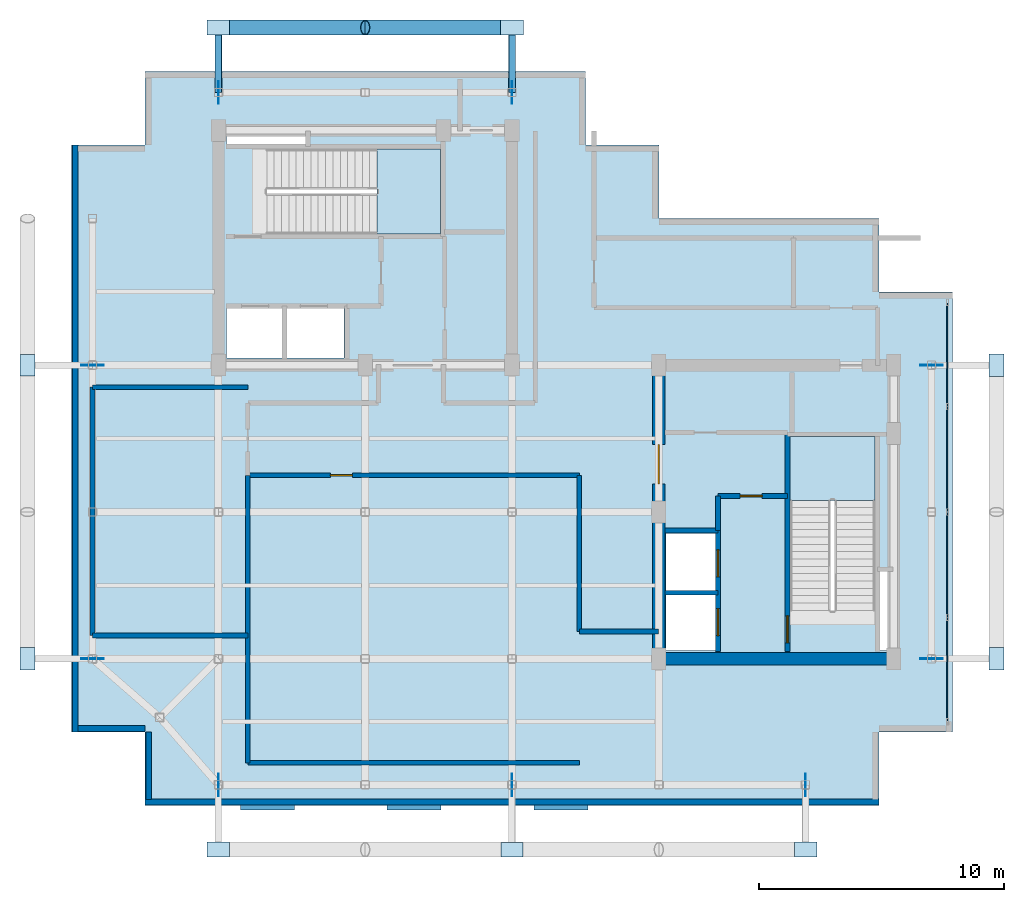
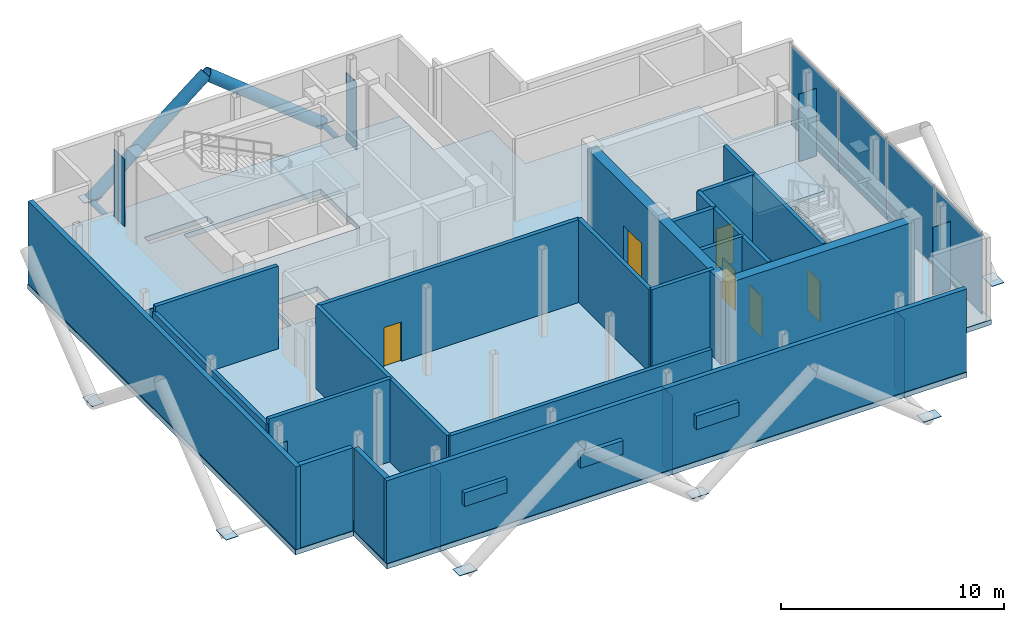
# One storey, part 3 of 6: 25 plates, 20 walls, 6 doors, 4 members, 3 slabs, 6 openings, 3 elements without a shape of their own.
"""IFC4 building model written with IfcOpenShell, lengths in metres."""

from ifc_helpers import new_model, si_unit, direction, frame, frame_2d, origin, origin_2d, place, context, subcontext, project, spatial, polyline, rectangle, hollow_circle, outline, extrude, material, layer, layer_set, material_profile, profile_set, type_object, element, fill, aggregate, save


model = new_model("IFC4")

# Units and contexts
model_context = context("Model", 3, precision=1e-05, world=origin(), true_north=direction((0.0, 1.0)))
body_context = subcontext(model_context, "Body", "Model", "MODEL_VIEW")
ifc_project = project(units=[si_unit("LENGTHUNIT", "METRE"), si_unit("AREAUNIT", "SQUARE_METRE"), si_unit("VOLUMEUNIT", "CUBIC_METRE"), si_unit("PLANEANGLEUNIT", "RADIAN"), si_unit("MASSUNIT", "GRAM", prefix="KILO"), si_unit("THERMODYNAMICTEMPERATUREUNIT", "KELVIN"), si_unit("POWERUNIT", "WATT")], contexts=[model_context])

# Site, building, storey
site_placement = place(None, origin())
site = spatial("IfcSite", under=ifc_project, at=site_placement, CompositionType="ELEMENT")
building_placement = place(site_placement, origin())
building = spatial("IfcBuilding", under=site, at=building_placement, Name="Svarakhadi Broadcast Tower", CompositionType="ELEMENT")
storey_placement = place(building_placement, frame((0.0, 0.0, 300.89990234375)))
storey = spatial("IfcBuildingStorey", under=building, at=storey_placement, Name="L76", CompositionType="ELEMENT", Elevation=300.89990234375)

# Members
ifc_material_1 = material(Name="Steel S460ML (IS 2062 E450BR)", Category="steel")
ifc_material_profile_1 = material_profile(ifc_material_1, hollow_circle(Radius=0.304931640625, WallThickness=0.030029296875, at=origin_2d()), Name="CHS 610x30")
ifc_profile_set_1 = profile_set([ifc_material_profile_1], Name="Steel S460ML (IS 2062 E450BR)")
member_type_1 = type_object("IfcMemberType", Name="Exo_Brace_CHS610", PredefinedType="BRACE", material=ifc_profile_set_1)
for number, where, z_axis, x_axis, name in (
    (1, (6.0, 31.800048828125, -0.411376953125), (0.780865709579, 0.0, 0.624698922365), (0.0, 1.0, 0.0), "L76 Exposed Bronze Exoskeleton Diagonal N10"),
    (2, (18.0, 31.800048828125, -0.411376953125), (-0.780865709579, 0.0, 0.624698922365), (0.0, -1.0, 0.0), "L76 Exposed Bronze Exoskeleton Diagonal N11"),
):
    element("IfcMember", number, at=place(storey_placement, frame(where, z_axis=z_axis, x_axis=x_axis)), inside=storey, type_object=member_type_1, Name=name, PredefinedType="BRACE", context=body_context, shape_type="SweptSolid", body=[
        extrude(hollow_circle(Radius=0.304931640625, WallThickness=0.030029296875, at=origin_2d()), origin(), (0.0, 0.0, 1.0), 7.683837890625),
    ])
ifc_material_profile_2 = material_profile(ifc_material_1, hollow_circle(Radius=0.136474609375, WallThickness=0.012451171875, at=origin_2d()), Name="CHS 273x12.5")
ifc_profile_set_2 = profile_set([ifc_material_profile_2], Name="Steel S460ML (IS 2062 E450BR)")
member_type_2 = type_object("IfcMemberType", Name="Exo_Radial_Strut_Z3", PredefinedType="STRUT", material=ifc_profile_set_2)
for number, where, z_axis, x_axis, name in (
    (3, (6.0, 31.800048828125, -0.411376953125), (0.0, -1.0, 0.0), (1.0, 0.0, 0.0), "L76 Exoskeleton Radial Tie Strut N08"),
    (4, (18.0, 31.800048828125, -0.411376953125), (0.0, -1.0, 0.0), (1.0, 0.0, 0.0), "L76 Exoskeleton Radial Tie Strut N09"),
):
    element("IfcMember", number, at=place(storey_placement, frame(where, z_axis=z_axis, x_axis=x_axis)), inside=storey, type_object=member_type_2, Name=name, PredefinedType="STRUT", context=body_context, shape_type="SweptSolid", body=[
        extrude(hollow_circle(Radius=0.136474609375, WallThickness=0.012451171875, at=origin_2d()), origin(), (0.0, 0.0, 1.0), 2.650146484375),
    ])

# Curtain wall, plates
ifc_material_2 = material(Name="Anodised Bronze Aluminium AA 6063-T6", Category="aluminium")
ifc_layer_1 = layer(ifc_material_2, 0.260009765625)
ifc_layer_set_1 = layer_set([ifc_layer_1], Name="Anodised Bronze Aluminium AA 6063-T6")
curtain_wall_type = type_object("IfcCurtainWallType", Name="CW_Sys_07", PredefinedType="NOTDEFINED", material=ifc_layer_set_1)
curtain_wall_placement = place(storey_placement, origin())
curtain_wall = element("IfcCurtainWall", 5, at=curtain_wall_placement, inside=storey, type_object=curtain_wall_type, Name="L76 East Plant Daylighting Curtain Wall CW-07", PredefinedType="NOTDEFINED")
ifc_material_3 = material(Name="Triple Laminated Solar-Control Crown Glass 42 mm", Category="glass")
ifc_layer_2 = layer(ifc_material_3, 0.0419921875)
ifc_layer_set_2 = layer_set([ifc_layer_2], Name="Triple Laminated Solar-Control Crown Glass 42 mm")
plate_type_1 = type_object("IfcPlateType", Name="CW_Sys_07_Pnl", PredefinedType="CURTAIN_PANEL", material=ifc_layer_set_2)
plate_1_placement = place(storey_placement, frame((35.800048828125, 18.43505859375, 0.09033203125), z_axis=(0.0, 0.0, 1.0), x_axis=(0.0, -1.0, 0.0)))
plate_1 = element("IfcPlate", 6, at=plate_1_placement, type_object=plate_type_1, Name="CW-07 panel 1.1", PredefinedType="CURTAIN_PANEL", context=body_context, shape_type="SweptSolid", body=[
    extrude(rectangle(XDim=4.169921875, YDim=0.0419921875, at=origin_2d()), origin(), (0.0, 0.0, 1.0), 4.344970703125),
])
plate_2_placement = place(storey_placement, frame((35.800048828125, 14.152587890625, 0.09033203125), z_axis=(0.0, 0.0, 1.0), x_axis=(0.0, -1.0, 0.0)))
plate_2 = element("IfcPlate", 7, at=plate_2_placement, type_object=plate_type_1, Name="CW-07 panel 2.1", PredefinedType="CURTAIN_PANEL", context=body_context, shape_type="SweptSolid", body=[
    extrude(rectangle(XDim=4.215087890625, YDim=0.0419921875, at=origin_2d()), origin(), (0.0, 0.0, 1.0), 4.344970703125),
])
plate_3_placement = place(storey_placement, frame((35.800048828125, 9.847412109375, 0.09033203125), z_axis=(0.0, 0.0, 1.0), x_axis=(0.0, -1.0, 0.0)))
plate_3 = element("IfcPlate", 8, at=plate_3_placement, type_object=plate_type_1, Name="CW-07 panel 3.1", PredefinedType="CURTAIN_PANEL", context=body_context, shape_type="SweptSolid", body=[
    extrude(rectangle(XDim=4.215087890625, YDim=0.0419921875, at=origin_2d()), origin(), (0.0, 0.0, 1.0), 4.344970703125),
])
plate_4_placement = place(storey_placement, frame((35.800048828125, 5.56494140625, 0.09033203125), z_axis=(0.0, 0.0, 1.0), x_axis=(0.0, -1.0, 0.0)))
plate_4 = element("IfcPlate", 9, at=plate_4_placement, type_object=plate_type_1, Name="CW-07 panel 4.1", PredefinedType="CURTAIN_PANEL", context=body_context, shape_type="SweptSolid", body=[
    extrude(rectangle(XDim=4.169921875, YDim=0.0419921875, at=origin_2d()), origin(), (0.0, 0.0, 1.0), 4.344970703125),
])
aggregate(curtain_wall, [plate_1, plate_2, plate_3, plate_4])

# Plates
ifc_layer_3 = layer(ifc_material_2, 0.75)
ifc_layer_set_3 = layer_set([ifc_layer_3], Name="Anodised Bronze Aluminium AA 6063-T6")
plate_type_2 = type_object("IfcPlateType", Name="Louvre_Bronze_LV02", PredefinedType="USERDEFINED", material=ifc_layer_set_3)
for number, where, z_axis, x_axis, name in (
    (10, (8.0, -0.080078125, 1.8876953125), (0.0, 0.0, 1.0), (1.0, 0.0, 0.0), "L76 Acoustic Monsoon Intake Louvre LV-02-1"),
    (11, (14.0, -0.080078125, 1.8876953125), (0.0, 0.0, 1.0), (1.0, 0.0, 0.0), "L76 Acoustic Monsoon Intake Louvre LV-02-2"),
    (12, (20.0, -0.080078125, 1.8876953125), (0.0, 0.0, 1.0), (1.0, 0.0, 0.0), "L76 Acoustic Monsoon Intake Louvre LV-02-3"),
):
    element("IfcPlate", number, at=place(storey_placement, frame(where, z_axis=z_axis, x_axis=x_axis)), inside=storey, type_object=plate_type_2, Name=name, ObjectType="LOUVRE", PredefinedType="USERDEFINED", context=body_context, shape_type="SweptSolid", body=[
        extrude(rectangle(XDim=2.199951171875, YDim=0.219970703125, at=origin_2d()), origin(), (0.0, 0.0, 1.0), 0.75),
    ])
ifc_layer_4 = layer(ifc_material_1, 0.02490234375)
ifc_layer_set_4 = layer_set([ifc_layer_4], Name="Steel S460ML (IS 2062 E450BR)")
plate_type_3 = type_object("IfcPlateType", Name="Node_Gusset_N05", PredefinedType="SHEET", material=ifc_layer_set_4)
for number, where, z_axis, x_axis, name in (
    (13, (18.0, -1.800048828125, -0.27490234375), (0.0, 0.0, 1.0), (1.0, 0.0, 0.0), "L76 Exoskeleton Gusset Node Plate S02"),
    (14, (-1.800048828125, 18.0, -0.27490234375), (0.0, 0.0, 1.0), (0.0, 1.0, 0.0), "L76 Exoskeleton Gusset Node Plate W05"),
):
    element("IfcPlate", number, at=place(storey_placement, frame(where, z_axis=z_axis, x_axis=x_axis)), inside=storey, type_object=plate_type_3, Name=name, PredefinedType="SHEET", context=body_context, shape_type="SweptSolid", body=[
        extrude(rectangle(XDim=0.8798828125, YDim=0.60009765625, at=origin_2d()), origin(), (0.0, 0.0, 1.0), 0.02490234375),
    ])
ifc_layer_5 = layer(ifc_material_1, 0.02587890625)
ifc_layer_set_5 = layer_set([ifc_layer_5], Name="Steel S460ML (IS 2062 E450BR)")
plate_type_4 = type_object("IfcPlateType", Name="Node_Gusset_N07", PredefinedType="SHEET", material=ifc_layer_set_5)
for number, where, z_axis, x_axis, name in (
    (15, (6.0, -1.800048828125, -0.27490234375), (0.0, 0.0, 1.0), (1.0, 0.0, 0.0), "L76 Exoskeleton Gusset Node Plate S01"),
    (16, (30.0, -1.800048828125, -0.27490234375), (0.0, 0.0, 1.0), (1.0, 0.0, 0.0), "L76 Exoskeleton Gusset Node Plate S03"),
    (17, (-1.800048828125, 6.0, -0.27490234375), (0.0, 0.0, 1.0), (0.0, 1.0, 0.0), "L76 Exoskeleton Gusset Node Plate W04"),
    (18, (37.800048828125, 6.0, -0.27490234375), (0.0, 0.0, 1.0), (0.0, 1.0, 0.0), "L76 Exoskeleton Gusset Node Plate E06"),
    (19, (37.800048828125, 18.0, -0.27490234375), (0.0, 0.0, 1.0), (0.0, 1.0, 0.0), "L76 Exoskeleton Gusset Node Plate E07"),
    (20, (6.0, 31.800048828125, -0.27490234375), (0.0, 0.0, 1.0), (1.0, 0.0, 0.0), "L76 Exoskeleton Gusset Node Plate N08"),
    (21, (18.0, 31.800048828125, -0.27490234375), (0.0, 0.0, 1.0), (1.0, 0.0, 0.0), "L76 Exoskeleton Gusset Node Plate N09"),
):
    element("IfcPlate", number, at=place(storey_placement, frame(where, z_axis=z_axis, x_axis=x_axis)), inside=storey, type_object=plate_type_4, Name=name, PredefinedType="SHEET", context=body_context, shape_type="SweptSolid", body=[
        extrude(rectangle(XDim=0.919921875, YDim=0.6201171875, at=origin_2d()), origin(), (0.0, 0.0, 1.0), 0.02587890625),
    ])
for number, where, z_axis, x_axis, name in (
    (22, (6.0, 0.85009765625, -0.611328125), (0.0, 0.0, 1.0), (0.0, 1.0, 0.0), "L76 Brace End Connection Gusset Plate N-07-E0581"),
    (23, (18.0, 0.85009765625, -0.611328125), (0.0, 0.0, 1.0), (0.0, 1.0, 0.0), "L76 Brace End Connection Gusset Plate N-07-E0582"),
    (24, (30.0, 0.85009765625, -0.611328125), (0.0, 0.0, 1.0), (0.0, 1.0, 0.0), "L76 Brace End Connection Gusset Plate N-07-E0583"),
    (25, (0.85009765625, 6.0, -0.611328125), (0.0, 0.0, 1.0), (1.0, 0.0, 0.0), "L76 Brace End Connection Gusset Plate N-07-E0584"),
    (26, (0.85009765625, 18.0, -0.611328125), (0.0, 0.0, 1.0), (1.0, 0.0, 0.0), "L76 Brace End Connection Gusset Plate N-07-E0585"),
    (27, (35.14990234375, 6.0, -0.611328125), (0.0, 0.0, 1.0), (1.0, 0.0, 0.0), "L76 Brace End Connection Gusset Plate N-07-E0586"),
    (28, (35.14990234375, 18.0, -0.611328125), (0.0, 0.0, 1.0), (1.0, 0.0, 0.0), "L76 Brace End Connection Gusset Plate N-07-E0587"),
    (29, (6.0, 29.14990234375, -0.611328125), (0.0, 0.0, 1.0), (0.0, 1.0, 0.0), "L76 Brace End Connection Gusset Plate N-07-E0588"),
    (30, (18.0, 29.14990234375, -0.611328125), (0.0, 0.0, 1.0), (0.0, 1.0, 0.0), "L76 Brace End Connection Gusset Plate N-07-E0589"),
):
    element("IfcPlate", number, at=place(storey_placement, frame(where, z_axis=z_axis, x_axis=x_axis)), inside=storey, type_object=plate_type_4, Name=name, PredefinedType="SHEET", context=body_context, shape_type="SweptSolid", body=[
        extrude(rectangle(XDim=0.919921875, YDim=0.02587890625, at=origin_2d()), origin(), (0.0, 0.0, 1.0), 4.300048828125),
    ])

# Slab
ifc_material_4 = material(Name="Concrete C40/50 (IS 456 M50)", Category="concrete")
ifc_layer_6 = layer(ifc_material_4, 0.27490234375)
ifc_layer_set_6 = layer_set([ifc_layer_6], Name="Concrete C40/50 (IS 456 M50)")
slab_type_1 = type_object("IfcSlabType", Name="Slab_Floor_275", PredefinedType="FLOOR", material=ifc_layer_set_6)
slab_1_placement = place(storey_placement, frame((0.0, 0.0, -0.27490234375)))
element("IfcSlab", 31, at=slab_1_placement, inside=storey, type_object=slab_type_1, Name="L76 Structural Floor Slab", PredefinedType="FLOOR", context=body_context, shape_type="SweptSolid", body=[
    extrude(outline(polyline([(3.0, 0.0), (33.0, 0.0), (33.0, 3.0), (36.0, 3.0), (36.0, 21.0), (33.0, 21.0), (33.0, 24.0), (24.0, 24.0), (24.0, 27.0), (21.0, 27.0), (21.0, 30.0), (3.0, 30.0), (3.0, 27.0), (0.0, 27.0), (0.0, 3.0), (3.0, 3.0), (3.0, 0.0)]), holes=[polyline([(7.97998046875, 23.360107421875), (15.080078125, 23.360107421875), (15.080078125, 26.840087890625), (7.97998046875, 26.840087890625), (7.97998046875, 23.360107421875)]), polyline([(32.840087890625, 7.97998046875), (32.840087890625, 15.080078125), (29.360107421875, 15.080078125), (29.360107421875, 7.97998046875), (32.840087890625, 7.97998046875)]), polyline([(6.340087890625, 18.2900390625), (8.610107421875, 18.2900390625), (8.610107421875, 20.330078125), (6.340087890625, 20.330078125), (6.340087890625, 18.2900390625)]), polyline([(8.7900390625, 18.2900390625), (11.1298828125, 18.2900390625), (11.1298828125, 20.330078125), (8.7900390625, 20.330078125), (8.7900390625, 18.2900390625)]), polyline([(24.2900390625, 6.340087890625), (26.330078125, 6.340087890625), (26.330078125, 8.610107421875), (24.2900390625, 8.610107421875), (24.2900390625, 6.340087890625)]), polyline([(24.2900390625, 8.7900390625), (26.330078125, 8.7900390625), (26.330078125, 11.1298828125), (24.2900390625, 11.1298828125), (24.2900390625, 8.7900390625)]), polyline([(6.340087890625, 26.989990234375), (9.610107421875, 26.989990234375), (9.610107421875, 27.530029296875), (6.340087890625, 27.530029296875), (6.340087890625, 26.989990234375)]), polyline([(32.989990234375, 6.340087890625), (33.530029296875, 6.340087890625), (33.530029296875, 9.610107421875), (32.989990234375, 9.610107421875), (32.989990234375, 6.340087890625)])]), origin(), (0.0, 0.0, 1.0), 0.27490234375),
])

# Stair, slab
stair_type = type_object("IfcStairType", Name="Stair_Exit_Core", PredefinedType="HALF_TURN_STAIR", material=ifc_material_4)
stair_1_placement = place(storey_placement, origin())
stair_1 = element("IfcStair", 32, at=stair_1_placement, inside=storey, type_object=stair_type, Name="L76 West Core Protected Exit Stair ST-01", PredefinedType="HALF_TURN_STAIR")
ifc_layer_7 = layer(ifc_material_4, 0.199951171875)
ifc_layer_set_7 = layer_set([ifc_layer_7], Name="Concrete C40/50 (IS 456 M50)")
slab_type_2 = type_object("IfcSlabType", Name="Slab_Stair_Land", PredefinedType="LANDING", material=ifc_layer_set_7)
slab_2_placement = place(storey_placement, frame((0.0, 0.0, 2.2001953125)))
slab_2 = element("IfcSlab", 33, at=slab_2_placement, type_object=slab_type_2, Name="ST-01 landing 1", PredefinedType="LANDING", context=body_context, shape_type="SweptSolid", body=[
    extrude(outline(polyline([(12.47998046875, 23.360107421875), (15.080078125, 23.360107421875), (15.080078125, 26.840087890625), (12.47998046875, 26.840087890625), (12.47998046875, 23.360107421875)])), origin(), (0.0, 0.0, 1.0), 0.199951171875),
])
aggregate(stair_1, [slab_2])

stair_2_placement = place(storey_placement, origin())
stair_2 = element("IfcStair", 34, at=stair_2_placement, inside=storey, type_object=stair_type, Name="L76 East Core Protected Exit Stair ST-02", PredefinedType="HALF_TURN_STAIR")
slab_3_placement = place(storey_placement, frame((0.0, 0.0, 2.2001953125)))
slab_3 = element("IfcSlab", 35, at=slab_3_placement, type_object=slab_type_2, Name="ST-02 landing 1", PredefinedType="LANDING", context=body_context, shape_type="SweptSolid", body=[
    extrude(outline(polyline([(32.840087890625, 12.47998046875), (32.840087890625, 15.080078125), (29.360107421875, 15.080078125), (29.360107421875, 12.47998046875), (32.840087890625, 12.47998046875)])), origin(), (0.0, 0.0, 1.0), 0.199951171875),
])
aggregate(stair_2, [slab_3])

# Walls
ifc_layer_8 = layer(ifc_material_4, 0.239990234375)
ifc_layer_set_8 = layer_set([ifc_layer_8], Name="Concrete C40/50 (IS 456 M50)")
wall_type_1 = type_object("IfcWallType", Name="Wall_Ext_240", PredefinedType="SOLIDWALL", material=ifc_layer_set_8)
wall_1_placement = place(storey_placement, frame((33.0, 0.14990234375, 0.0), z_axis=(0.0, 0.0, 1.0), x_axis=(-1.0, 0.0, 0.0)))
element("IfcWall", 36, at=wall_1_placement, inside=storey, type_object=wall_type_1, Name="L76 South Mechanical Acoustic Louvred Plant Wall", PredefinedType="SOLIDWALL", context=body_context, shape_type="SweptSolid", body=[
    extrude(rectangle(XDim=30.0, YDim=0.239990234375, at=frame_2d((15.0, 0.0))), origin(), (0.0, 0.0, 1.0), 4.525146484375),
])
wall_2_placement = place(storey_placement, frame((0.14990234375, 3.0, 0.0), z_axis=(0.0, 0.0, 1.0), x_axis=(0.0, 1.0, 0.0)))
element("IfcWall", 37, at=wall_2_placement, inside=storey, type_object=wall_type_1, Name="L76 West Mechanical Acoustic Louvred Plant Wall", PredefinedType="SOLIDWALL", context=body_context, shape_type="SweptSolid", body=[
    extrude(rectangle(XDim=24.0, YDim=0.239990234375, at=frame_2d((12.0, 0.0))), origin(), (0.0, 0.0, 1.0), 4.525146484375),
])
for number, where, z_axis, x_axis, name in (
    (38, (3.0, 3.14990234375, 0.0), (0.0, 0.0, 1.0), (-1.0, 0.0, 0.0), "L76 Perimeter Bronze Spandrel Closure Wall 01"),
    (39, (3.14990234375, 0.2548828125, 0.0), (0.0, 0.0, 1.0), (0.0, 1.0, 0.0), "L76 Perimeter Bronze Spandrel Closure Wall 13"),
):
    element("IfcWall", number, at=place(storey_placement, frame(where, z_axis=z_axis, x_axis=x_axis)), inside=storey, type_object=wall_type_1, Name=name, PredefinedType="SOLIDWALL", context=body_context, shape_type="SweptSolid", body=[
        extrude(rectangle(XDim=2.7451171875, YDim=0.239990234375, at=frame_2d((1.37255859375, 0.0))), origin(), (0.0, 0.0, 1.0), 4.525146484375),
    ])
ifc_layer_9 = layer(ifc_material_4, 0.199951171875)
ifc_layer_set_9 = layer_set([ifc_layer_9], Name="Concrete C40/50 (IS 456 M50)")
wall_type_2 = type_object("IfcWallType", Name="Wall_Fire_200", PredefinedType="SOLIDWALL", material=ifc_layer_set_9)
wall_3_placement = place(storey_placement, frame((23.97998046875, 7.1201171875, 0.0), z_axis=(0.0, 0.0, 1.0), x_axis=(-1.0, 0.0, 0.0)))
element("IfcWall", 40, at=wall_3_placement, inside=storey, type_object=wall_type_2, Name="L76 Plant Service Corridor Wall", PredefinedType="SOLIDWALL", context=body_context, shape_type="SweptSolid", body=[
    extrude(rectangle(XDim=3.22998046875, YDim=0.199951171875, at=frame_2d((1.614990234375, 0.0))), origin(), (0.0, 0.0, 1.0), 4.525146484375),
])
wall_4_placement = place(storey_placement, frame((20.75, 7.1201171875, 0.0), z_axis=(0.0, 0.0, 1.0), x_axis=(0.0, 1.0, 0.0)))
element("IfcWall", 41, at=wall_4_placement, inside=storey, type_object=wall_type_2, Name="L76 Plant Service Corridor Wall", PredefinedType="SOLIDWALL", context=body_context, shape_type="SweptSolid", body=[
    extrude(rectangle(XDim=6.3798828125, YDim=0.199951171875, at=frame_2d((3.18994140625, 0.0))), origin(), (0.0, 0.0, 1.0), 4.525146484375),
])

# Wall, opening, door
wall_5_placement = place(storey_placement, frame((20.75, 13.5, 0.0), z_axis=(0.0, 0.0, 1.0), x_axis=(-1.0, 0.0, 0.0)))
wall_5 = element("IfcWall", 42, at=wall_5_placement, inside=storey, type_object=wall_type_2, Name="L76 Plant Service Corridor Wall", PredefinedType="SOLIDWALL", context=body_context, shape_type="SweptSolid", body=[
    extrude(rectangle(XDim=13.550048828125, YDim=0.199951171875, at=frame_2d((6.77490234375, 0.0))), origin(), (0.0, 0.0, 1.0), 4.525146484375),
])
opening_1_placement = place(wall_5_placement, frame((9.27490234375, 0.0, 0.0)))
opening_1 = element("IfcOpeningElement", 43, at=opening_1_placement, cuts=wall_5, Name="Opening D-04", PredefinedType="OPENING", context=body_context, shape_type="SweptSolid", body=[
    extrude(rectangle(XDim=0.89990234375, YDim=2.14990234375, at=frame_2d((0.449951171875, 1.074951171875))), frame((0.0, 0.10986328125, 0.0), z_axis=(0.0, -1.0, 0.0), x_axis=(1.0, 0.0, 0.0)), (0.0, 0.0, 1.0), 0.219970703125),
])
ifc_material_5 = material(Name="Galvanised Powder-Coated Fire-Rated Steel Leaf", Category="steel")
door_type_1 = type_object("IfcDoorType", Name="Door_Fire_D04", OperationType="SINGLE_SWING_RIGHT", PredefinedType="DOOR", material=ifc_material_5)
door_1_placement = place(opening_1_placement, origin())
door_1 = element("IfcDoor", 44, at=door_1_placement, inside=storey, type_object=door_type_1, Name="L76 Crown Broadcast Telemetry Plant Room Door", OperationType="SINGLE_SWING_RIGHT", OverallHeight=2.14990234375, OverallWidth=0.89990234375, PredefinedType="DOOR", context=body_context, shape_type="SweptSolid", body=[
    extrude(rectangle(XDim=0.89990234375, YDim=2.14990234375, at=frame_2d((0.449951171875, 1.074951171875))), frame((0.0, 0.02490234375, 0.0), z_axis=(0.0, -1.0, 0.0), x_axis=(1.0, 0.0, 0.0)), (0.0, 0.0, 1.0), 0.050048828125),
])
fill(opening_1, door_1)

# Walls
for number, where, z_axis, x_axis, name in (
    (45, (0.85009765625, 6.949951171875, 0.0), (0.0, 0.0, 1.0), (1.0, 0.0, 0.0), "L76 Upper Zone Transformer Plant Room Wall"),
    (46, (0.85009765625, 17.10009765625, 0.0), (0.0, 0.0, 1.0), (1.0, 0.0, 0.0), "L76 Upper Zone Transformer Plant Room Wall"),
):
    element("IfcWall", number, at=place(storey_placement, frame(where, z_axis=z_axis, x_axis=x_axis)), inside=storey, type_object=wall_type_2, Name=name, PredefinedType="SOLIDWALL", context=body_context, shape_type="SweptSolid", body=[
        extrude(rectangle(XDim=6.349853515625, YDim=0.199951171875, at=frame_2d((3.1748046875, 0.0))), origin(), (0.0, 0.0, 1.0), 4.525146484375),
    ])
wall_6_placement = place(storey_placement, frame((0.85009765625, 6.949951171875, 0.0), z_axis=(0.0, 0.0, 1.0), x_axis=(0.0, 1.0, 0.0)))
element("IfcWall", 47, at=wall_6_placement, inside=storey, type_object=wall_type_2, Name="L76 Upper Zone Transformer Plant Room Wall", PredefinedType="SOLIDWALL", context=body_context, shape_type="SweptSolid", body=[
    extrude(rectangle(XDim=10.150146484375, YDim=0.199951171875, at=frame_2d((5.0751953125, 0.0))), origin(), (0.0, 0.0, 1.0), 4.217041015625),
])
wall_7_placement = place(storey_placement, frame((7.199951171875, 1.75, 0.0), z_axis=(0.0, 0.0, 1.0), x_axis=(1.0, 0.0, 0.0)))
element("IfcWall", 48, at=wall_7_placement, inside=storey, type_object=wall_type_2, Name="L76 Crown Broadcast Telemetry Plant Room Wall", PredefinedType="SOLIDWALL", context=body_context, shape_type="SweptSolid", body=[
    extrude(rectangle(XDim=13.550048828125, YDim=0.199951171875, at=frame_2d((6.77490234375, 0.0))), origin(), (0.0, 0.0, 1.0), 4.525146484375),
])
wall_8_placement = place(storey_placement, frame((7.199951171875, 1.75, 0.0), z_axis=(0.0, 0.0, 1.0), x_axis=(0.0, 1.0, 0.0)))
element("IfcWall", 49, at=wall_8_placement, inside=storey, type_object=wall_type_2, Name="L76 Crown Broadcast Telemetry Plant Room Wall", PredefinedType="SOLIDWALL", context=body_context, shape_type="SweptSolid", body=[
    extrude(rectangle(XDim=11.75, YDim=0.199951171875, at=frame_2d((5.875, 0.0))), origin(), (0.0, 0.0, 1.0), 4.525146484375),
])

# Wall, opening, door
ifc_material_6 = material(Name="Concrete C50/60 (IS 456 M60)", Category="concrete")
ifc_layer_10 = layer(ifc_material_6, 0.199951171875)
ifc_layer_set_10 = layer_set([ifc_layer_10], Name="Concrete C50/60 (IS 456 M60)")
wall_type_3 = type_object("IfcWallType", Name="Wall_Shear_200", PredefinedType="SHEAR", material=ifc_layer_set_10)
wall_9_placement = place(storey_placement, frame((29.260009765625, 6.300048828125, 0.0), z_axis=(0.0, 0.0, 1.0), x_axis=(0.0, 1.0, 0.0)))
wall_9 = element("IfcWall", 50, at=wall_9_placement, inside=storey, type_object=wall_type_3, Name="L76 Stair ST-02 West RC Shaft Wall", PredefinedType="SHEAR", context=body_context, shape_type="SweptSolid", body=[
    extrude(rectangle(XDim=8.8798828125, YDim=0.199951171875, at=frame_2d((4.43994140625, 0.0))), origin(), (0.0, 0.0, 1.0), 4.525146484375),
])
opening_2_placement = place(wall_9_placement, frame((0.35009765625, 0.0, 0.0)))
opening_2 = element("IfcOpeningElement", 51, at=opening_2_placement, cuts=wall_9, Name="Opening D-02", PredefinedType="OPENING", context=body_context, shape_type="SweptSolid", body=[
    extrude(rectangle(XDim=1.10009765625, YDim=2.199951171875, at=frame_2d((0.550048828125, 1.10009765625))), frame((0.0, 0.10986328125, 0.0), z_axis=(0.0, -1.0, 0.0), x_axis=(1.0, 0.0, 0.0)), (0.0, 0.0, 1.0), 0.219970703125),
])
door_type_2 = type_object("IfcDoorType", Name="Door_Stair_D02", OperationType="SINGLE_SWING_RIGHT", PredefinedType="DOOR", material=ifc_material_5)
door_2_placement = place(opening_2_placement, origin())
door_2 = element("IfcDoor", 52, at=door_2_placement, inside=storey, type_object=door_type_2, Name="L76 Protected Exit Stair ST-02 Fire Door", OperationType="SINGLE_SWING_RIGHT", OverallHeight=2.199951171875, OverallWidth=1.10009765625, PredefinedType="DOOR", context=body_context, shape_type="SweptSolid", body=[
    extrude(rectangle(XDim=1.10009765625, YDim=2.199951171875, at=frame_2d((0.550048828125, 1.10009765625))), frame((0.0, 0.02490234375, 0.0), z_axis=(0.0, -1.0, 0.0), x_axis=(1.0, 0.0, 0.0)), (0.0, 0.0, 1.0), 0.050048828125),
])
fill(opening_2, door_2)

# Wall, openings, doors
wall_10_placement = place(storey_placement, frame((26.419921875, 6.300048828125, 0.0), z_axis=(0.0, 0.0, 1.0), x_axis=(0.0, 1.0, 0.0)))
wall_10 = element("IfcWall", 53, at=wall_10_placement, inside=storey, type_object=wall_type_3, Name="L76 Firefighting Lift LF-03/04 Shaft Wall", PredefinedType="SHEAR", context=body_context, shape_type="SweptSolid", body=[
    extrude(rectangle(XDim=4.949951171875, YDim=0.199951171875, at=frame_2d((2.47509765625, 0.0))), origin(), (0.0, 0.0, 1.0), 4.525146484375),
])
opening_3_placement = place(wall_10_placement, frame((0.64990234375, 0.0, 0.0)))
opening_3 = element("IfcOpeningElement", 54, at=opening_3_placement, cuts=wall_10, Name="Opening LD-01", PredefinedType="OPENING", context=body_context, shape_type="SweptSolid", body=[
    extrude(rectangle(XDim=1.10009765625, YDim=2.199951171875, at=frame_2d((0.550048828125, 1.10009765625))), frame((0.0, 0.10986328125, 0.0), z_axis=(0.0, -1.0, 0.0), x_axis=(1.0, 0.0, 0.0)), (0.0, 0.0, 1.0), 0.219970703125),
])
opening_4_placement = place(wall_10_placement, frame((3.050048828125, 0.0, 0.0)))
opening_4 = element("IfcOpeningElement", 55, at=opening_4_placement, cuts=wall_10, Name="Opening LD-01", PredefinedType="OPENING", context=body_context, shape_type="SweptSolid", body=[
    extrude(rectangle(XDim=1.10009765625, YDim=2.199951171875, at=frame_2d((0.550048828125, 1.10009765625))), frame((0.0, 0.10986328125, 0.0), z_axis=(0.0, -1.0, 0.0), x_axis=(1.0, 0.0, 0.0)), (0.0, 0.0, 1.0), 0.219970703125),
])
door_type_3 = type_object("IfcDoorType", Name="Door_Lift_LD01", OperationType="SLIDING_TO_LEFT", PredefinedType="DOOR", material=ifc_material_5)
door_3_placement = place(opening_3_placement, origin())
door_3 = element("IfcDoor", 56, at=door_3_placement, inside=storey, type_object=door_type_3, Name="L76 Firefighting Lift LF-03 Landing Door", OperationType="SLIDING_TO_LEFT", OverallHeight=2.199951171875, OverallWidth=1.10009765625, PredefinedType="DOOR", context=body_context, shape_type="SweptSolid", body=[
    extrude(rectangle(XDim=1.10009765625, YDim=2.199951171875, at=frame_2d((0.550048828125, 1.10009765625))), frame((0.0, 0.02490234375, 0.0), z_axis=(0.0, -1.0, 0.0), x_axis=(1.0, 0.0, 0.0)), (0.0, 0.0, 1.0), 0.050048828125),
])
fill(opening_3, door_3)
door_4_placement = place(opening_4_placement, origin())
door_4 = element("IfcDoor", 57, at=door_4_placement, inside=storey, type_object=door_type_3, Name="L76 Firefighting Lift LF-04 Landing Door", OperationType="SLIDING_TO_LEFT", OverallHeight=2.199951171875, OverallWidth=1.10009765625, PredefinedType="DOOR", context=body_context, shape_type="SweptSolid", body=[
    extrude(rectangle(XDim=1.10009765625, YDim=2.199951171875, at=frame_2d((0.550048828125, 1.10009765625))), frame((0.0, 0.02490234375, 0.0), z_axis=(0.0, -1.0, 0.0), x_axis=(1.0, 0.0, 0.0)), (0.0, 0.0, 1.0), 0.050048828125),
])
fill(opening_4, door_4)

# Walls
for number, where, z_axis, x_axis, name in (
    (58, (24.25, 8.699951171875, 0.0), (0.0, 0.0, 1.0), (1.0, 0.0, 0.0), "L76 Firefighting Lift LF-03/04 Divider Wall"),
    (59, (24.25, 11.25, 0.0), (0.0, 0.0, 1.0), (1.0, 0.0, 0.0), "L76 Firefighting Lift LF-04 North Wall"),
):
    element("IfcWall", number, at=place(storey_placement, frame(where, z_axis=z_axis, x_axis=x_axis)), inside=storey, type_object=wall_type_3, Name=name, PredefinedType="SHEAR", context=body_context, shape_type="SweptSolid", body=[
        extrude(rectangle(XDim=2.169921875, YDim=0.199951171875, at=frame_2d((1.0849609375, 0.0))), origin(), (0.0, 0.0, 1.0), 4.525146484375),
    ])
wall_11_placement = place(storey_placement, frame((26.419921875, 11.25, 0.0), z_axis=(0.0, 0.0, 1.0), x_axis=(0.0, 1.0, 0.0)))
element("IfcWall", 60, at=wall_11_placement, inside=storey, type_object=wall_type_3, Name="L76 East Firefighting Lobby West Wall", PredefinedType="SHEAR", context=body_context, shape_type="SweptSolid", body=[
    extrude(rectangle(XDim=1.39990234375, YDim=0.199951171875, at=frame_2d((0.699951171875, 0.0))), origin(), (0.0, 0.0, 1.0), 4.525146484375),
])

# Wall, opening, door
wall_12_placement = place(storey_placement, frame((26.419921875, 12.64990234375, 0.0), z_axis=(0.0, 0.0, 1.0), x_axis=(1.0, 0.0, 0.0)))
wall_12 = element("IfcWall", 61, at=wall_12_placement, inside=storey, type_object=wall_type_3, Name="L76 East Firefighting Lobby North Wall", PredefinedType="SHEAR", context=body_context, shape_type="SweptSolid", body=[
    extrude(rectangle(XDim=2.840087890625, YDim=0.199951171875, at=frame_2d((1.419921875, 0.0))), origin(), (0.0, 0.0, 1.0), 4.525146484375),
])
opening_5_placement = place(wall_12_placement, frame((0.89990234375, 0.0, 0.0)))
opening_5 = element("IfcOpeningElement", 62, at=opening_5_placement, cuts=wall_12, Name="Opening D-03", PredefinedType="OPENING", context=body_context, shape_type="SweptSolid", body=[
    extrude(rectangle(XDim=0.89990234375, YDim=2.14990234375, at=frame_2d((0.449951171875, 1.074951171875))), frame((0.0, 0.10986328125, 0.0), z_axis=(0.0, -1.0, 0.0), x_axis=(1.0, 0.0, 0.0)), (0.0, 0.0, 1.0), 0.219970703125),
])
door_type_4 = type_object("IfcDoorType", Name="Door_Fire_D03", OperationType="SINGLE_SWING_LEFT", PredefinedType="DOOR", material=ifc_material_5)
door_5_placement = place(opening_5_placement, origin())
door_5 = element("IfcDoor", 63, at=door_5_placement, inside=storey, type_object=door_type_4, Name="L76 East Firefighting Lobby Fire Door", OperationType="SINGLE_SWING_LEFT", OverallHeight=2.14990234375, OverallWidth=0.89990234375, PredefinedType="DOOR", context=body_context, shape_type="SweptSolid", body=[
    extrude(rectangle(XDim=0.89990234375, YDim=2.14990234375, at=frame_2d((0.449951171875, 1.074951171875))), frame((0.0, 0.02490234375, 0.0), z_axis=(0.0, -1.0, 0.0), x_axis=(1.0, 0.0, 0.0)), (0.0, 0.0, 1.0), 0.050048828125),
])
fill(opening_5, door_5)

# Wall
ifc_layer_11 = layer(ifc_material_6, 0.5)
ifc_layer_set_11 = layer_set([ifc_layer_11], Name="Concrete C50/60 (IS 456 M60)")
wall_type_4 = type_object("IfcWallType", Name="Wall_Shear_500", PredefinedType="SHEAR", material=ifc_layer_set_11)
wall_13_placement = place(storey_placement, frame((24.0, 6.0, 0.0), z_axis=(0.0, 0.0, 1.0), x_axis=(1.0, 0.0, 0.0)))
element("IfcWall", 64, at=wall_13_placement, inside=storey, type_object=wall_type_4, Name="L76 East Core South Shear Wall", PredefinedType="SHEAR", context=body_context, shape_type="SweptSolid", body=[
    extrude(rectangle(XDim=9.60009765625, YDim=0.5, at=frame_2d((4.800048828125, 0.0))), origin(), (0.0, 0.0, 1.0), 4.525146484375),
])

# Wall, opening, door
wall_14_placement = place(storey_placement, frame((24.0, 6.0, 0.0), z_axis=(0.0, 0.0, 1.0), x_axis=(0.0, 1.0, 0.0)))
wall_14 = element("IfcWall", 65, at=wall_14_placement, inside=storey, type_object=wall_type_4, Name="L76 East Core West Shear Wall", PredefinedType="SHEAR", context=body_context, shape_type="SweptSolid", body=[
    extrude(rectangle(XDim=12.0, YDim=0.5, at=frame_2d((6.0, 0.0))), origin(), (0.0, 0.0, 1.0), 4.525146484375),
])
opening_6_placement = place(wall_14_placement, frame((7.14990234375, 0.0, 0.0)))
opening_6 = element("IfcOpeningElement", 66, at=opening_6_placement, cuts=wall_14, Name="Opening D-05", PredefinedType="OPENING", context=body_context, shape_type="SweptSolid", body=[
    extrude(rectangle(XDim=1.60009765625, YDim=2.300048828125, at=frame_2d((0.800048828125, 1.14990234375))), frame((0.0, 0.260009765625, 0.0), z_axis=(0.0, -1.0, 0.0), x_axis=(1.0, 0.0, 0.0)), (0.0, 0.0, 1.0), 0.52001953125),
])
door_type_5 = type_object("IfcDoorType", Name="Door_Lobby_D05", OperationType="DOUBLE_DOOR_SLIDING", PredefinedType="DOOR", material=ifc_material_2)
door_6_placement = place(opening_6_placement, origin())
door_6 = element("IfcDoor", 67, at=door_6_placement, inside=storey, type_object=door_type_5, Name="L76 East Core Passenger Lift Lobby Entrance Door", OperationType="DOUBLE_DOOR_SLIDING", OverallHeight=2.300048828125, OverallWidth=1.60009765625, PredefinedType="DOOR", context=body_context, shape_type="SweptSolid", body=[
    extrude(rectangle(XDim=1.60009765625, YDim=2.300048828125, at=frame_2d((0.800048828125, 1.14990234375))), frame((0.0, 0.02490234375, 0.0), z_axis=(0.0, -1.0, 0.0), x_axis=(1.0, 0.0, 0.0)), (0.0, 0.0, 1.0), 0.050048828125),
])
fill(opening_6, door_6)

save(model, "model.ifc")
